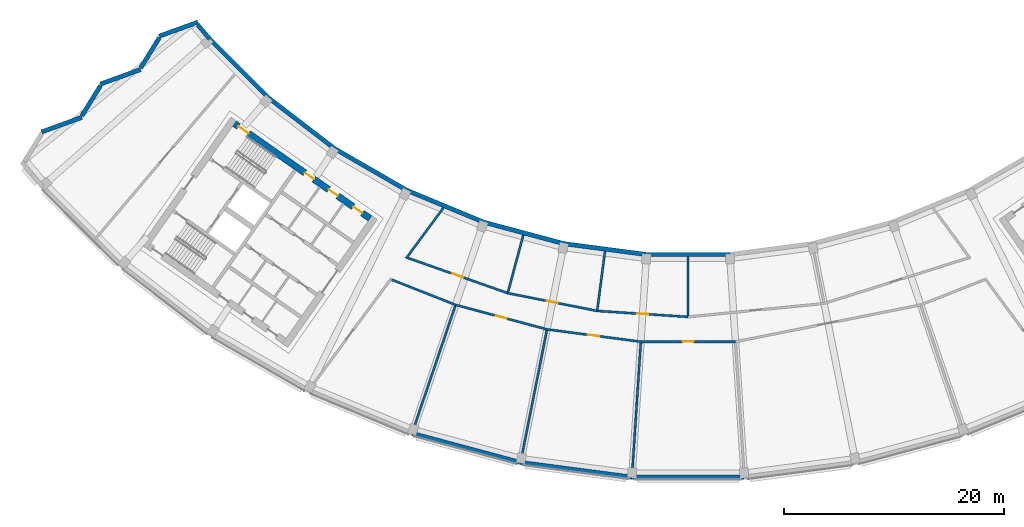
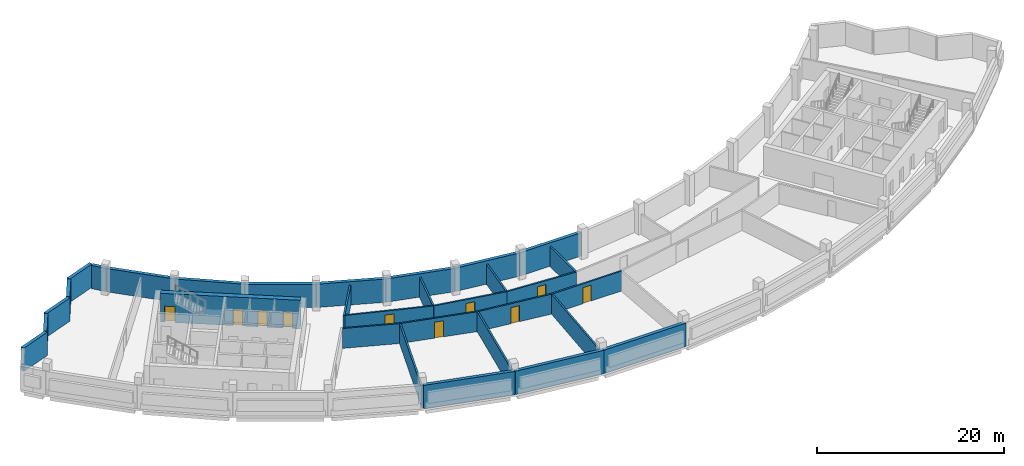
# One storey, part 4 of 11: 31 walls, 10 doors, 10 openings.
"""IFC4 building model written with IfcOpenShell, lengths in metres."""

from ifc_helpers import new_model, si_unit, direction, frame, frame_2d, origin, place, context, subcontext, project, spatial, rectangle, extrude, material, layer, layer_set, type_object, element, fill, save


model = new_model("IFC4")

# Units and contexts
model_context = context("Model", 3, precision=1e-05, world=origin(), true_north=direction((0.0, 1.0)))
body_context = subcontext(model_context, "Body", "Model", "MODEL_VIEW")
ifc_project = project(units=[si_unit("LENGTHUNIT", "METRE"), si_unit("AREAUNIT", "SQUARE_METRE"), si_unit("VOLUMEUNIT", "CUBIC_METRE"), si_unit("PLANEANGLEUNIT", "RADIAN"), si_unit("MASSUNIT", "GRAM", prefix="KILO")], contexts=[model_context])

# Site, building, storey
site_placement = place(None, origin())
site = spatial("IfcSite", under=ifc_project, at=site_placement, CompositionType="ELEMENT")
building_placement = place(site_placement, origin())
building = spatial("IfcBuilding", under=site, at=building_placement, Name="Qamariyya Broadcast Tower", CompositionType="ELEMENT")
storey_placement = place(building_placement, frame((0.0, 0.0, 314.699951171875)))
storey = spatial("IfcBuildingStorey", under=building, at=storey_placement, Name="L76", CompositionType="ELEMENT", Elevation=314.699951171875)

# Wall, openings, doors
ifc_material_1 = material(Name="Concrete C60/75", Category="concrete")
ifc_layer_1 = layer(ifc_material_1, 0.60009765625)
ifc_layer_set_1 = layer_set([ifc_layer_1], Name="Core wall 600 mm Concrete C60/75")
wall_type_1 = type_object("IfcWallType", Name="Core wall 600 mm Concrete C60/75", PredefinedType="SHEAR", material=ifc_layer_set_1)
wall_1_placement = place(storey_placement, frame((-28.940673828125, -54.447021484375, 0.0), z_axis=(0.0, 0.0, 1.0), x_axis=(-0.819153391756, 0.573574511963, 0.0)))
wall_1 = element("IfcWall", 1, at=wall_1_placement, inside=storey, type_object=wall_type_1, Name="k-W-L76-WI", PredefinedType="SHEAR", context=body_context, shape_type="SweptSolid", body=[
    extrude(rectangle(XDim=15.04541015625, YDim=0.60009765625, at=frame_2d((7.522705078125, 0.0))), origin(), (0.0, 0.0, 1.0), 3.75),
])
opening_1_placement = place(wall_1_placement, frame((0.85009765625, 0.0, 0.0)))
opening_1 = element("IfcOpeningElement", 2, at=opening_1_placement, cuts=wall_1, Name="Opening KD4-W7", PredefinedType="OPENING", context=body_context, shape_type="SweptSolid", body=[
    extrude(rectangle(XDim=1.0, YDim=2.10009765625, at=frame_2d((0.5, 1.050048828125))), frame((0.0, 0.31005859375, 0.0), z_axis=(0.0, -1.0, 0.0), x_axis=(1.0, 0.0, 0.0)), (0.0, 0.0, 1.0), 0.6201171875),
])
opening_2_placement = place(wall_1_placement, frame((3.574951171875, 0.0, 0.0)))
opening_2 = element("IfcOpeningElement", 3, at=opening_2_placement, cuts=wall_1, Name="Opening KD4-W8", PredefinedType="OPENING", context=body_context, shape_type="SweptSolid", body=[
    extrude(rectangle(XDim=1.0, YDim=2.10009765625, at=frame_2d((0.5, 1.050048828125))), frame((0.0, 0.31005859375, 0.0), z_axis=(0.0, -1.0, 0.0), x_axis=(1.0, 0.0, 0.0)), (0.0, 0.0, 1.0), 0.6201171875),
])
opening_3_placement = place(wall_1_placement, frame((6.22509765625, 0.0, 0.0)))
opening_3 = element("IfcOpeningElement", 4, at=opening_3_placement, cuts=wall_1, Name="Opening KD4-W9", PredefinedType="OPENING", context=body_context, shape_type="SweptSolid", body=[
    extrude(rectangle(XDim=1.0, YDim=2.10009765625, at=frame_2d((0.5, 1.050048828125))), frame((0.0, 0.31005859375, 0.0), z_axis=(0.0, -1.0, 0.0), x_axis=(1.0, 0.0, 0.0)), (0.0, 0.0, 1.0), 0.6201171875),
])
opening_4_placement = place(wall_1_placement, frame((13.495361328125, 0.0, 0.0)))
opening_4 = element("IfcOpeningElement", 5, at=opening_4_placement, cuts=wall_1, Name="Opening KD1-W1", PredefinedType="OPENING", context=body_context, shape_type="SweptSolid", body=[
    extrude(rectangle(XDim=1.10009765625, YDim=2.10009765625, at=frame_2d((0.550048828125, 1.050048828125))), frame((0.0, 0.31005859375, 0.0), z_axis=(0.0, -1.0, 0.0), x_axis=(1.0, 0.0, 0.0)), (0.0, 0.0, 1.0), 0.6201171875),
])
ifc_material_2 = material(Name="Steel fire-resisting door leaf", Category="steel")
door_type_1 = type_object("IfcDoorType", Name="Riser and plant door KD4", OperationType="SINGLE_SWING_LEFT", PredefinedType="DOOR", material=ifc_material_2)
door_1_placement = place(opening_1_placement, origin())
door_1 = element("IfcDoor", 6, at=door_1_placement, inside=storey, type_object=door_type_1, Name="k-W-L76-WI-D8", OperationType="SINGLE_SWING_LEFT", OverallHeight=2.10009765625, OverallWidth=1.0, PredefinedType="DOOR", context=body_context, shape_type="SweptSolid", body=[
    extrude(rectangle(XDim=1.0, YDim=2.10009765625, at=frame_2d((0.5, 1.050048828125))), frame((0.0, 0.02490234375, 0.0), z_axis=(0.0, -1.0, 0.0), x_axis=(1.0, 0.0, 0.0)), (0.0, 0.0, 1.0), 0.050048828125),
])
fill(opening_1, door_1)
door_2_placement = place(opening_2_placement, origin())
door_2 = element("IfcDoor", 7, at=door_2_placement, inside=storey, type_object=door_type_1, Name="k-W-L76-WI-D9", OperationType="SINGLE_SWING_RIGHT", OverallHeight=2.10009765625, OverallWidth=1.0, PredefinedType="DOOR", context=body_context, shape_type="SweptSolid", body=[
    extrude(rectangle(XDim=1.0, YDim=2.10009765625, at=frame_2d((0.5, 1.050048828125))), frame((0.0, 0.02490234375, 0.0), z_axis=(0.0, -1.0, 0.0), x_axis=(1.0, 0.0, 0.0)), (0.0, 0.0, 1.0), 0.050048828125),
])
fill(opening_2, door_2)
door_3_placement = place(opening_3_placement, origin())
door_3 = element("IfcDoor", 8, at=door_3_placement, inside=storey, type_object=door_type_1, Name="k-W-L76-WI-D10", OperationType="SINGLE_SWING_LEFT", OverallHeight=2.10009765625, OverallWidth=1.0, PredefinedType="DOOR", context=body_context, shape_type="SweptSolid", body=[
    extrude(rectangle(XDim=1.0, YDim=2.10009765625, at=frame_2d((0.5, 1.050048828125))), frame((0.0, 0.02490234375, 0.0), z_axis=(0.0, -1.0, 0.0), x_axis=(1.0, 0.0, 0.0)), (0.0, 0.0, 1.0), 0.050048828125),
])
fill(opening_3, door_3)
door_type_2 = type_object("IfcDoorType", Name="Stair door KD1", OperationType="SINGLE_SWING_LEFT", PredefinedType="DOOR", material=ifc_material_2)
door_4_placement = place(opening_4_placement, origin())
door_4 = element("IfcDoor", 9, at=door_4_placement, inside=storey, type_object=door_type_2, Name="k-W-L76-WI-D17", OperationType="SINGLE_SWING_RIGHT", OverallHeight=2.10009765625, OverallWidth=1.10009765625, PredefinedType="DOOR", context=body_context, shape_type="SweptSolid", body=[
    extrude(rectangle(XDim=1.10009765625, YDim=2.10009765625, at=frame_2d((0.550048828125, 1.050048828125))), frame((0.0, 0.02490234375, 0.0), z_axis=(0.0, -1.0, 0.0), x_axis=(1.0, 0.0, 0.0)), (0.0, 0.0, 1.0), 0.050048828125),
])
fill(opening_4, door_4)

# Wall
ifc_material_3 = material(Name="Masonry block wall", Category="masonry")
ifc_layer_2 = layer(ifc_material_3, 0.199951171875)
ifc_layer_set_2 = layer_set([ifc_layer_2], Name="Plant room wall 200 EI 120")
wall_type_2 = type_object("IfcWallType", Name="Plant room wall 200 EI 120", PredefinedType="PARTITIONING", material=ifc_layer_set_2)
wall_2_placement = place(storey_placement, frame((-26.96435546875, -60.01611328125, 0.0), z_axis=(0.0, 0.0, 1.0), x_axis=(0.930313487961, -0.366765339309, 0.0)))
element("IfcWall", 10, at=wall_2_placement, inside=storey, type_object=wall_type_2, Name="Partition L76-003", PredefinedType="PARTITIONING", context=body_context, shape_type="SweptSolid", body=[
    extrude(rectangle(XDim=6.249267578125, YDim=0.199951171875, at=frame_2d((3.12451171875, 0.0))), origin(), (0.0, 0.0, 1.0), 2.60009765625),
])

# Wall, opening, door
wall_3_placement = place(storey_placement, frame((-25.50390625, -58.035888671875, 0.0), z_axis=(0.0, 0.0, 1.0), x_axis=(0.943186956549, -0.332262494116, 0.0)))
wall_3 = element("IfcWall", 11, at=wall_3_placement, inside=storey, type_object=wall_type_2, Name="Partition L76-004", PredefinedType="PARTITIONING", context=body_context, shape_type="SweptSolid", body=[
    extrude(rectangle(XDim=9.642578125, YDim=0.199951171875, at=frame_2d((4.8212890625, 0.0))), origin(), (0.0, 0.0, 1.0), 2.60009765625),
])
opening_5_placement = place(wall_3_placement, frame((4.3212890625, 0.0, 0.0)))
opening_5 = element("IfcOpeningElement", 12, at=opening_5_placement, cuts=wall_3, Name="Opening L76-D07", PredefinedType="OPENING", context=body_context, shape_type="SweptSolid", body=[
    extrude(rectangle(XDim=1.0, YDim=2.10009765625, at=frame_2d((0.5, 1.050048828125))), frame((0.0, 0.10986328125, 0.0), z_axis=(0.0, -1.0, 0.0), x_axis=(1.0, 0.0, 0.0)), (0.0, 0.0, 1.0), 0.219970703125),
])
ifc_material_4 = material(Name="Insulated metal door leaf")
door_type_3 = type_object("IfcDoorType", Name="Plant door 1000 x 2100 FD120", OperationType="NOTDEFINED", PredefinedType="DOOR", material=ifc_material_4)
door_5_placement = place(opening_5_placement, origin())
door_5 = element("IfcDoor", 13, at=door_5_placement, inside=storey, type_object=door_type_3, Name="Door L76-D07", OperationType="SINGLE_SWING_RIGHT", OverallHeight=2.10009765625, OverallWidth=1.0, PredefinedType="DOOR", context=body_context, shape_type="SweptSolid", body=[
    extrude(rectangle(XDim=1.0, YDim=2.10009765625, at=frame_2d((0.5, 1.050048828125))), frame((0.0, 0.02490234375, 0.0), z_axis=(0.0, -1.0, 0.0), x_axis=(1.0, 0.0, 0.0)), (0.0, 0.0, 1.0), 0.050048828125),
])
fill(opening_5, door_5)

# Walls
wall_4_placement = place(storey_placement, frame((-25.12060546875, -74.002685546875, 0.0), z_axis=(0.0, 0.0, 1.0), x_axis=(0.321442509406, 0.946929096156, 0.0)))
element("IfcWall", 14, at=wall_4_placement, inside=storey, type_object=wall_type_2, Name="Partition L76-005", PredefinedType="PARTITIONING", context=body_context, shape_type="SweptSolid", body=[
    extrude(rectangle(XDim=12.250244140625, YDim=0.199951171875, at=frame_2d((6.125, 0.0))), origin(), (0.0, 0.0, 1.0), 2.60009765625),
])
wall_5_placement = place(storey_placement, frame((-22.251953125, -53.469482421875, 0.0), z_axis=(0.0, 0.0, 1.0), x_axis=(-0.593885763016, -0.804549377283, 0.0)))
element("IfcWall", 15, at=wall_5_placement, inside=storey, type_object=wall_type_2, Name="Partition L76-006", PredefinedType="PARTITIONING", context=body_context, shape_type="SweptSolid", body=[
    extrude(rectangle(XDim=5.734375, YDim=0.199951171875, at=frame_2d((2.8671875, 0.0))), origin(), (0.0, 0.0, 1.0), 2.60009765625),
])

# Wall, opening, door
wall_6_placement = place(storey_placement, frame((-12.8369140625, -64.53564453125, 0.0), z_axis=(0.0, 0.0, 1.0), x_axis=(-0.965929186451, 0.258806504483, 0.0)))
wall_6 = element("IfcWall", 16, at=wall_6_placement, inside=storey, type_object=wall_type_2, Name="Partition L76-007", PredefinedType="PARTITIONING", context=body_context, shape_type="SweptSolid", body=[
    extrude(rectangle(XDim=8.60693359375, YDim=0.199951171875, at=frame_2d((4.303466796875, 0.0))), origin(), (0.0, 0.0, 1.0), 2.60009765625),
])
opening_6_placement = place(wall_6_placement, frame((3.803466796875, 0.0, 0.0)))
opening_6 = element("IfcOpeningElement", 17, at=opening_6_placement, cuts=wall_6, Name="Opening L76-D02", PredefinedType="OPENING", context=body_context, shape_type="SweptSolid", body=[
    extrude(rectangle(XDim=1.0, YDim=2.10009765625, at=frame_2d((0.5, 1.050048828125))), frame((0.0, 0.10986328125, 0.0), z_axis=(0.0, -1.0, 0.0), x_axis=(1.0, 0.0, 0.0)), (0.0, 0.0, 1.0), 0.219970703125),
])
door_6_placement = place(opening_6_placement, origin())
door_6 = element("IfcDoor", 18, at=door_6_placement, inside=storey, type_object=door_type_3, Name="Door L76-D02", OperationType="SINGLE_SWING_RIGHT", OverallHeight=2.10009765625, OverallWidth=1.0, PredefinedType="DOOR", context=body_context, shape_type="SweptSolid", body=[
    extrude(rectangle(XDim=1.0, YDim=2.10009765625, at=frame_2d((0.5, 1.050048828125))), frame((0.0, 0.02490234375, 0.0), z_axis=(0.0, -1.0, 0.0), x_axis=(1.0, 0.0, 0.0)), (0.0, 0.0, 1.0), 0.050048828125),
])
fill(opening_6, door_6)

wall_7_placement = place(storey_placement, frame((-16.4091796875, -61.23974609375, 0.0), z_axis=(0.0, 0.0, 1.0), x_axis=(0.98078508005, -0.195091329256, 0.0)))
wall_7 = element("IfcWall", 19, at=wall_7_placement, inside=storey, type_object=wall_type_2, Name="Partition L76-008", PredefinedType="PARTITIONING", context=body_context, shape_type="SweptSolid", body=[
    extrude(rectangle(XDim=8.293212890625, YDim=0.199951171875, at=frame_2d((4.146484375, 0.0))), origin(), (0.0, 0.0, 1.0), 2.60009765625),
])
opening_7_placement = place(wall_7_placement, frame((3.646484375, 0.0, 0.0)))
opening_7 = element("IfcOpeningElement", 20, at=opening_7_placement, cuts=wall_7, Name="Opening L76-D08", PredefinedType="OPENING", context=body_context, shape_type="SweptSolid", body=[
    extrude(rectangle(XDim=1.0, YDim=2.10009765625, at=frame_2d((0.5, 1.050048828125))), frame((0.0, 0.10986328125, 0.0), z_axis=(0.0, -1.0, 0.0), x_axis=(1.0, 0.0, 0.0)), (0.0, 0.0, 1.0), 0.219970703125),
])
door_7_placement = place(opening_7_placement, origin())
door_7 = element("IfcDoor", 21, at=door_7_placement, inside=storey, type_object=door_type_3, Name="Door L76-D08", OperationType="SINGLE_SWING_RIGHT", OverallHeight=2.10009765625, OverallWidth=1.0, PredefinedType="DOOR", context=body_context, shape_type="SweptSolid", body=[
    extrude(rectangle(XDim=1.0, YDim=2.10009765625, at=frame_2d((0.5, 1.050048828125))), frame((0.0, 0.02490234375, 0.0), z_axis=(0.0, -1.0, 0.0), x_axis=(1.0, 0.0, 0.0)), (0.0, 0.0, 1.0), 0.050048828125),
])
fill(opening_7, door_7)

# Walls
wall_8_placement = place(storey_placement, frame((-15.246337890625, -76.6484375, 0.0), z_axis=(0.0, 0.0, 1.0), x_axis=(0.195092710304, 0.98078480534, 0.0)))
element("IfcWall", 22, at=wall_8_placement, inside=storey, type_object=wall_type_2, Name="Partition L76-009", PredefinedType="PARTITIONING", context=body_context, shape_type="SweptSolid", body=[
    extrude(rectangle(XDim=12.25, YDim=0.199951171875, at=frame_2d((6.125, 0.0))), origin(), (0.0, 0.0, 1.0), 2.60009765625),
])
wall_9_placement = place(storey_placement, frame((-14.992431640625, -55.952880859375, 0.0), z_axis=(0.0, 0.0, 1.0), x_axis=(-0.258847367931, -0.965918236765, 0.0)))
element("IfcWall", 23, at=wall_9_placement, inside=storey, type_object=wall_type_2, Name="Partition L76-010", PredefinedType="PARTITIONING", context=body_context, shape_type="SweptSolid", body=[
    extrude(rectangle(XDim=5.373291015625, YDim=0.199951171875, at=frame_2d((2.6865234375, 0.0))), origin(), (0.0, 0.0, 1.0), 2.60009765625),
])

# Wall, opening, door
wall_10_placement = place(storey_placement, frame((-4.303466796875, -65.6591796875, 0.0), z_axis=(0.0, 0.0, 1.0), x_axis=(-0.991443575654, 0.130535957862, 0.0)))
wall_10 = element("IfcWall", 24, at=wall_10_placement, inside=storey, type_object=wall_type_2, Name="Partition L76-011", PredefinedType="PARTITIONING", context=body_context, shape_type="SweptSolid", body=[
    extrude(rectangle(XDim=8.607177734375, YDim=0.199951171875, at=frame_2d((4.3037109375, 0.0))), origin(), (0.0, 0.0, 1.0), 2.60009765625),
])
opening_8_placement = place(wall_10_placement, frame((3.803466796875, 0.0, 0.0)))
opening_8 = element("IfcOpeningElement", 25, at=opening_8_placement, cuts=wall_10, Name="Opening L76-D03", PredefinedType="OPENING", context=body_context, shape_type="SweptSolid", body=[
    extrude(rectangle(XDim=1.0, YDim=2.10009765625, at=frame_2d((0.5, 1.050048828125))), frame((0.0, 0.10986328125, 0.0), z_axis=(0.0, -1.0, 0.0), x_axis=(1.0, 0.0, 0.0)), (0.0, 0.0, 1.0), 0.219970703125),
])
door_8_placement = place(opening_8_placement, origin())
door_8 = element("IfcDoor", 26, at=door_8_placement, inside=storey, type_object=door_type_3, Name="Door L76-D03", OperationType="SINGLE_SWING_RIGHT", OverallHeight=2.10009765625, OverallWidth=1.0, PredefinedType="DOOR", context=body_context, shape_type="SweptSolid", body=[
    extrude(rectangle(XDim=1.0, YDim=2.10009765625, at=frame_2d((0.5, 1.050048828125))), frame((0.0, 0.02490234375, 0.0), z_axis=(0.0, -1.0, 0.0), x_axis=(1.0, 0.0, 0.0)), (0.0, 0.0, 1.0), 0.050048828125),
])
fill(opening_8, door_8)

wall_11_placement = place(storey_placement, frame((-8.275390625, -62.857666015625, 0.0), z_axis=(0.0, 0.0, 1.0), x_axis=(0.997860193426, -0.065383747038, 0.0)))
wall_11 = element("IfcWall", 27, at=wall_11_placement, inside=storey, type_object=wall_type_2, Name="Partition L76-012", PredefinedType="PARTITIONING", context=body_context, shape_type="SweptSolid", body=[
    extrude(rectangle(XDim=8.293212890625, YDim=0.199951171875, at=frame_2d((4.146484375, 0.0))), origin(), (0.0, 0.0, 1.0), 2.60009765625),
])
opening_9_placement = place(wall_11_placement, frame((3.646484375, 0.0, 0.0)))
opening_9 = element("IfcOpeningElement", 28, at=opening_9_placement, cuts=wall_11, Name="Opening L76-D09", PredefinedType="OPENING", context=body_context, shape_type="SweptSolid", body=[
    extrude(rectangle(XDim=1.0, YDim=2.10009765625, at=frame_2d((0.5, 1.050048828125))), frame((0.0, 0.10986328125, 0.0), z_axis=(0.0, -1.0, 0.0), x_axis=(1.0, 0.0, 0.0)), (0.0, 0.0, 1.0), 0.219970703125),
])
door_9_placement = place(opening_9_placement, origin())
door_9 = element("IfcDoor", 29, at=door_9_placement, inside=storey, type_object=door_type_3, Name="Door L76-D09", OperationType="SINGLE_SWING_RIGHT", OverallHeight=2.10009765625, OverallWidth=1.0, PredefinedType="DOOR", context=body_context, shape_type="SweptSolid", body=[
    extrude(rectangle(XDim=1.0, YDim=2.10009765625, at=frame_2d((0.5, 1.050048828125))), frame((0.0, 0.02490234375, 0.0), z_axis=(0.0, -1.0, 0.0), x_axis=(1.0, 0.0, 0.0)), (0.0, 0.0, 1.0), 0.050048828125),
])
fill(opening_9, door_9)

# Walls
wall_12_placement = place(storey_placement, frame((-7.56103515625, -57.430908203125, 0.0), z_axis=(0.0, 0.0, 1.0), x_axis=(-0.130485069567, -0.991450274406, 0.0)))
element("IfcWall", 30, at=wall_12_placement, inside=storey, type_object=wall_type_2, Name="Partition L76-013", PredefinedType="PARTITIONING", context=body_context, shape_type="SweptSolid", body=[
    extrude(rectangle(XDim=5.37353515625, YDim=0.199951171875, at=frame_2d((2.686767578125, 0.0))), origin(), (0.0, 0.0, 1.0), 2.60009765625),
])
wall_13_placement = place(storey_placement, frame((-5.111328125, -77.982666015625, 0.0), z_axis=(0.0, 0.0, 1.0), x_axis=(0.065409169082, 0.997858527347, 0.0)))
element("IfcWall", 31, at=wall_13_placement, inside=storey, type_object=wall_type_2, Name="Partition L76-014", PredefinedType="PARTITIONING", context=body_context, shape_type="SweptSolid", body=[
    extrude(rectangle(XDim=12.25, YDim=0.199951171875, at=frame_2d((6.125, 0.0))), origin(), (0.0, 0.0, 1.0), 2.60009765625),
])

# Wall, opening, door
wall_14_placement = place(storey_placement, frame((4.303466796875, -65.6591796875, 0.0), z_axis=(0.0, 0.0, 1.0), x_axis=(-1.0, 0.0, 0.0)))
wall_14 = element("IfcWall", 32, at=wall_14_placement, inside=storey, type_object=wall_type_2, Name="Partition L76-015", PredefinedType="PARTITIONING", context=body_context, shape_type="SweptSolid", body=[
    extrude(rectangle(XDim=8.60693359375, YDim=0.199951171875, at=frame_2d((4.303466796875, 0.0))), origin(), (0.0, 0.0, 1.0), 2.60009765625),
])
opening_10_placement = place(wall_14_placement, frame((3.803466796875, 0.0, 0.0)))
opening_10 = element("IfcOpeningElement", 33, at=opening_10_placement, cuts=wall_14, Name="Opening L76-D04", PredefinedType="OPENING", context=body_context, shape_type="SweptSolid", body=[
    extrude(rectangle(XDim=1.0, YDim=2.10009765625, at=frame_2d((0.5, 1.050048828125))), frame((0.0, 0.10986328125, 0.0), z_axis=(0.0, -1.0, 0.0), x_axis=(1.0, 0.0, 0.0)), (0.0, 0.0, 1.0), 0.219970703125),
])
door_10_placement = place(opening_10_placement, origin())
door_10 = element("IfcDoor", 34, at=door_10_placement, inside=storey, type_object=door_type_3, Name="Door L76-D04", OperationType="SINGLE_SWING_RIGHT", OverallHeight=2.10009765625, OverallWidth=1.0, PredefinedType="DOOR", context=body_context, shape_type="SweptSolid", body=[
    extrude(rectangle(XDim=1.0, YDim=2.10009765625, at=frame_2d((0.5, 1.050048828125))), frame((0.0, 0.02490234375, 0.0), z_axis=(0.0, -1.0, 0.0), x_axis=(1.0, 0.0, 0.0)), (0.0, 0.0, 1.0), 0.050048828125),
])
fill(opening_10, door_10)

# Walls
wall_15_placement = place(storey_placement, frame((0.0, -57.926513671875, 0.0), z_axis=(0.0, 0.0, 1.0), x_axis=(0.0, -1.0, 0.0)))
element("IfcWall", 35, at=wall_15_placement, inside=storey, type_object=wall_type_2, Name="Partition L76-017", PredefinedType="PARTITIONING", context=body_context, shape_type="SweptSolid", body=[
    extrude(rectangle(XDim=5.37353515625, YDim=0.199951171875, at=frame_2d((2.686767578125, 0.0))), origin(), (0.0, 0.0, 1.0), 2.60009765625),
])
ifc_material_5 = material(Name="Terracotta", Category="masonry")
ifc_layer_3 = layer(ifc_material_5, 0.39990234375)
ifc_layer_set_3 = layer_set([ifc_layer_3], Name="Solid terracotta louvred band wall 400")
wall_type_3 = type_object("IfcWallType", Name="Solid terracotta louvred band wall 400", PredefinedType="SOLIDWALL", material=ifc_layer_set_3)
wall_16_placement = place(storey_placement, frame((-44.58642578125, -36.581787109375, 0.0), z_axis=(0.0, 0.0, 1.0), x_axis=(-0.940130056589, -0.340815898541, 0.0)))
element("IfcWall", 36, at=wall_16_placement, inside=storey, type_object=wall_type_3, Name="e-wl-L76-capW0", PredefinedType="SOLIDWALL", context=body_context, shape_type="SweptSolid", body=[
    extrude(rectangle(XDim=3.742919921875, YDim=0.39990234375, at=frame_2d((1.87158203125, 0.0))), origin(), (0.0, 0.0, 1.0), 3.050048828125),
])
wall_17_placement = place(storey_placement, frame((-48.104248046875, -38.00341796875, 0.0), z_axis=(0.0, 0.0, 1.0), x_axis=(-0.525678481137, -0.850683333838, 0.0)))
element("IfcWall", 37, at=wall_17_placement, inside=storey, type_object=wall_type_3, Name="e-wl-L76-capW1", PredefinedType="SOLIDWALL", context=body_context, shape_type="SweptSolid", body=[
    extrude(rectangle(XDim=3.220458984375, YDim=0.39990234375, at=frame_2d((1.6103515625, 0.0))), origin(), (0.0, 0.0, 1.0), 3.050048828125),
])
wall_18_placement = place(storey_placement, frame((-49.79638671875, -40.888916015625, 0.0), z_axis=(0.0, 0.0, 1.0), x_axis=(-0.940086069154, -0.340937212083, 0.0)))
element("IfcWall", 38, at=wall_18_placement, inside=storey, type_object=wall_type_3, Name="e-wl-L76-capW2", PredefinedType="SOLIDWALL", context=body_context, shape_type="SweptSolid", body=[
    extrude(rectangle(XDim=3.892578125, YDim=0.39990234375, at=frame_2d((1.9462890625, 0.0))), origin(), (0.0, 0.0, 1.0), 3.050048828125),
])
wall_19_placement = place(storey_placement, frame((-53.454833984375, -42.362060546875, 0.0), z_axis=(0.0, 0.0, 1.0), x_axis=(-0.525649491409, -0.850701247314, 0.0)))
element("IfcWall", 39, at=wall_19_placement, inside=storey, type_object=wall_type_3, Name="e-wl-L76-capW3", PredefinedType="SOLIDWALL", context=body_context, shape_type="SweptSolid", body=[
    extrude(rectangle(XDim=3.21923828125, YDim=0.39990234375, at=frame_2d((1.609619140625, 0.0))), origin(), (0.0, 0.0, 1.0), 3.050048828125),
])
wall_20_placement = place(storey_placement, frame((-55.14599609375, -45.24658203125, 0.0), z_axis=(0.0, 0.0, 1.0), x_axis=(-0.940075029039, -0.340967652099, 0.0)))
element("IfcWall", 40, at=wall_20_placement, inside=storey, type_object=wall_type_3, Name="e-wl-L76-capW4", PredefinedType="SOLIDWALL", context=body_context, shape_type="SweptSolid", body=[
    extrude(rectangle(XDim=3.893798828125, YDim=0.39990234375, at=frame_2d((1.94677734375, 0.0))), origin(), (0.0, 0.0, 1.0), 3.050048828125),
])
wall_21_placement = place(storey_placement, frame((-43.51123046875, -38.122802734375, 0.0), z_axis=(0.0, 0.0, 1.0), x_axis=(-0.645545650865, 0.763721685334, 0.0)))
element("IfcWall", 41, at=wall_21_placement, inside=storey, type_object=wall_type_3, Name="e-wl-L76-in00", PredefinedType="SOLIDWALL", context=body_context, shape_type="SweptSolid", body=[
    extrude(rectangle(XDim=1.68359375, YDim=0.39990234375, at=frame_2d((0.841796875, 0.0))), origin(), (0.0, 0.0, 1.0), 3.050048828125),
])
wall_22_placement = place(storey_placement, frame((-38.125732421875, -43.511962890625, 0.0), z_axis=(0.0, 0.0, 1.0), x_axis=(-0.707106781187, 0.707106781187, 0.0)))
element("IfcWall", 42, at=wall_22_placement, inside=storey, type_object=wall_type_3, Name="e-wl-L76-in10", PredefinedType="SOLIDWALL", context=body_context, shape_type="SweptSolid", body=[
    extrude(rectangle(XDim=7.6025390625, YDim=0.39990234375, at=frame_2d((3.80126953125, 0.0))), origin(), (0.0, 0.0, 1.0), 3.050048828125),
])
wall_23_placement = place(storey_placement, frame((-32.18017578125, -48.070068359375, 0.0), z_axis=(0.0, 0.0, 1.0), x_axis=(-0.793355236357, 0.608758957999, 0.0)))
element("IfcWall", 43, at=wall_23_placement, inside=storey, type_object=wall_type_3, Name="e-wl-L76-in20", PredefinedType="SOLIDWALL", context=body_context, shape_type="SweptSolid", body=[
    extrude(rectangle(XDim=7.4658203125, YDim=0.39990234375, at=frame_2d((3.73291015625, 0.0))), origin(), (0.0, 0.0, 1.0), 3.050048828125),
])
wall_24_placement = place(storey_placement, frame((-25.56494140625, -51.89697265625, 0.0), z_axis=(0.0, 0.0, 1.0), x_axis=(-0.866025463095, 0.499999897272, 0.0)))
element("IfcWall", 44, at=wall_24_placement, inside=storey, type_object=wall_type_3, Name="e-wl-L76-in30", PredefinedType="SOLIDWALL", context=body_context, shape_type="SweptSolid", body=[
    extrude(rectangle(XDim=7.6171875, YDim=0.39990234375, at=frame_2d((3.80859375, 0.0))), origin(), (0.0, 0.0, 1.0), 3.050048828125),
])
wall_25_placement = place(storey_placement, frame((-18.642333984375, -54.760986328125, 0.0), z_axis=(0.0, 0.0, 1.0), x_axis=(-0.923872151004, 0.382701252414, 0.0)))
element("IfcWall", 45, at=wall_25_placement, inside=storey, type_object=wall_type_3, Name="e-wl-L76-in40", PredefinedType="SOLIDWALL", context=body_context, shape_type="SweptSolid", body=[
    extrude(rectangle(XDim=7.4658203125, YDim=0.39990234375, at=frame_2d((3.73291015625, 0.0))), origin(), (0.0, 0.0, 1.0), 3.050048828125),
])
wall_26_placement = place(storey_placement, frame((-11.261962890625, -56.745361328125, 0.0), z_axis=(0.0, 0.0, 1.0), x_axis=(-0.965927307138, 0.258813518437, 0.0)))
element("IfcWall", 46, at=wall_26_placement, inside=storey, type_object=wall_type_3, Name="e-wl-L76-in50", PredefinedType="SOLIDWALL", context=body_context, shape_type="SweptSolid", body=[
    extrude(rectangle(XDim=7.6171875, YDim=0.39990234375, at=frame_2d((3.80859375, 0.0))), origin(), (0.0, 0.0, 1.0), 3.050048828125),
])
wall_27_placement = place(storey_placement, frame((-3.833984375, -57.719970703125, 0.0), z_axis=(0.0, 0.0, 1.0), x_axis=(-0.991442493144, 0.130544179452, 0.0)))
element("IfcWall", 47, at=wall_27_placement, inside=storey, type_object=wall_type_3, Name="e-wl-L76-in60", PredefinedType="SOLIDWALL", context=body_context, shape_type="SweptSolid", body=[
    extrude(rectangle(XDim=7.4658203125, YDim=0.39990234375, at=frame_2d((3.73291015625, 0.0))), origin(), (0.0, 0.0, 1.0), 3.050048828125),
])
wall_28_placement = place(storey_placement, frame((3.80859375, -57.7265625, 0.0), z_axis=(0.0, 0.0, 1.0), x_axis=(-1.0, 0.0, 0.0)))
element("IfcWall", 48, at=wall_28_placement, inside=storey, type_object=wall_type_3, Name="e-wl-L76-in70", PredefinedType="SOLIDWALL", context=body_context, shape_type="SweptSolid", body=[
    extrude(rectangle(XDim=7.6171875, YDim=0.39990234375, at=frame_2d((3.80859375, 0.0))), origin(), (0.0, 0.0, 1.0), 3.050048828125),
])
wall_29_placement = place(storey_placement, frame((-25.0712890625, -74.015380859375, 0.0), z_axis=(0.0, 0.0, 1.0), x_axis=(0.965928778267, -0.258808027921, 0.0)))
element("IfcWall", 49, at=wall_29_placement, inside=storey, type_object=wall_type_3, Name="e-wl-L76-out50", PredefinedType="SOLIDWALL", context=body_context, shape_type="SweptSolid", body=[
    extrude(rectangle(XDim=10.120849609375, YDim=0.39990234375, at=frame_2d((5.060546875, 0.0))), origin(), (0.0, 0.0, 1.0), 3.050048828125),
])
wall_30_placement = place(storey_placement, frame((-15.27099609375, -76.644775390625, 0.0), z_axis=(0.0, 0.0, 1.0), x_axis=(0.991444909321, -0.130525828027, 0.0)))
element("IfcWall", 50, at=wall_30_placement, inside=storey, type_object=wall_type_3, Name="e-wl-L76-out60", PredefinedType="SOLIDWALL", context=body_context, shape_type="SweptSolid", body=[
    extrude(rectangle(XDim=10.2724609375, YDim=0.39990234375, at=frame_2d((5.13623046875, 0.0))), origin(), (0.0, 0.0, 1.0), 3.050048828125),
])
wall_31_placement = place(storey_placement, frame((-5.060546875, -77.982177734375, 0.0), z_axis=(0.0, 0.0, 1.0), x_axis=(1.0, 0.0, 0.0)))
element("IfcWall", 51, at=wall_31_placement, inside=storey, type_object=wall_type_3, Name="e-wl-L76-out70", PredefinedType="SOLIDWALL", context=body_context, shape_type="SweptSolid", body=[
    extrude(rectangle(XDim=10.12109375, YDim=0.39990234375, at=frame_2d((5.060546875, 0.0))), origin(), (0.0, 0.0, 1.0), 3.050048828125),
])

save(model, "model.ifc")
